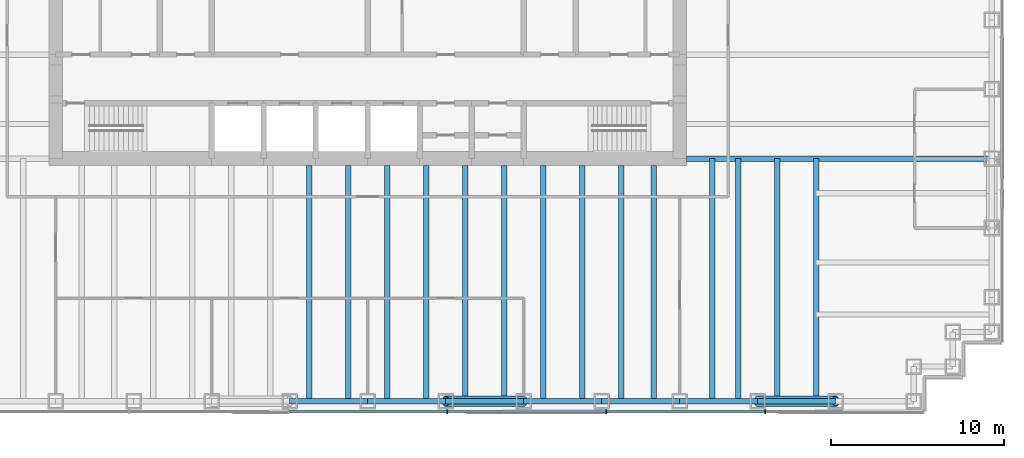
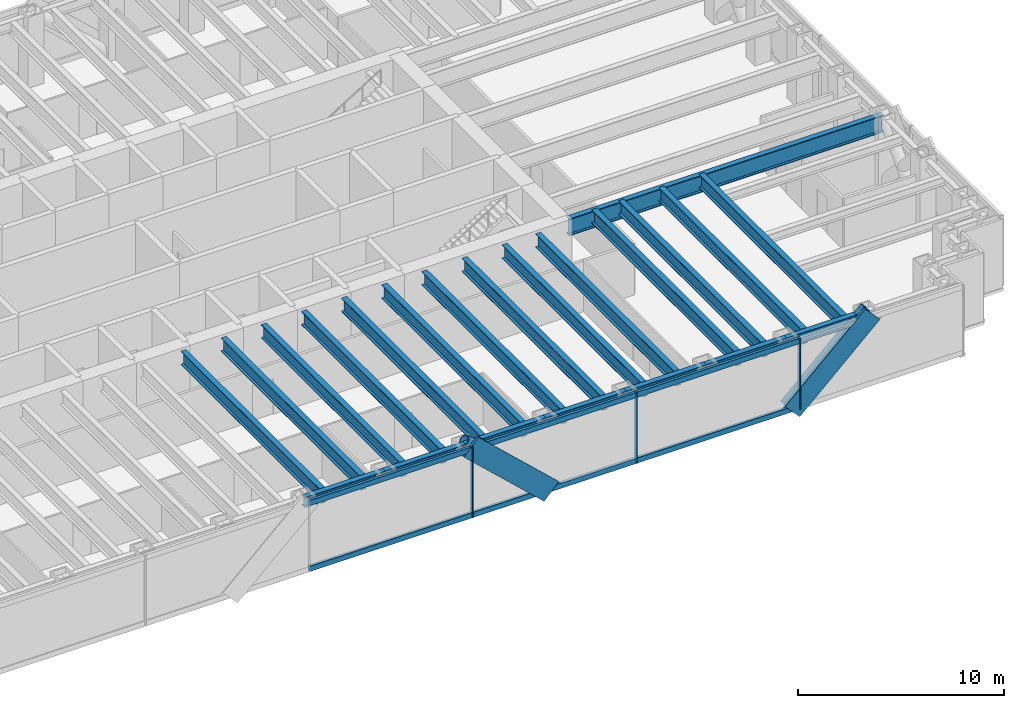
# One storey, part 4 of 19: 22 beams, 13 members, 1 element without a shape of its own.
"""IFC4 building model written with IfcOpenShell, lengths in metres."""

from ifc_helpers import new_model, si_unit, direction, frame, origin, origin_2d, place, context, subcontext, project, spatial, rectangle, hollow_circle, i_section, extrude, material, material_profile, profile_set, type_object, element, aggregate, save


model = new_model("IFC4")

# Units and contexts
model_context = context("Model", 3, precision=1e-05, world=origin(), true_north=direction((0.0, 1.0)))
body_context = subcontext(model_context, "Body", "Model", "MODEL_VIEW")
ifc_project = project(units=[si_unit("LENGTHUNIT", "METRE"), si_unit("AREAUNIT", "SQUARE_METRE"), si_unit("VOLUMEUNIT", "CUBIC_METRE"), si_unit("PLANEANGLEUNIT", "RADIAN"), si_unit("MASSUNIT", "GRAM", prefix="KILO")], contexts=[model_context])

# Site, building, storey
site_placement = place(None, origin())
site = spatial("IfcSite", under=ifc_project, at=site_placement, CompositionType="ELEMENT")
building_placement = place(site_placement, origin())
building = spatial("IfcBuilding", under=site, at=building_placement, Name="Rheinbord Bourse Tower", CompositionType="ELEMENT")
storey_placement = place(building_placement, frame((0.0, 0.0, 206.800048828125)))
storey = spatial("IfcBuildingStorey", under=building, at=storey_placement, Name="L46", CompositionType="ELEMENT", Elevation=206.800048828125)

# Curtain wall, members
ifc_material_1 = material(Name="Dark glass and black aluminium", Category="aluminium")
curtain_wall_type = type_object("IfcCurtainWallType", Name="CW2 DARK GLASS CURTAIN WALL", PredefinedType="USERDEFINED", material=ifc_material_1)
curtain_wall_placement = place(storey_placement, origin())
curtain_wall = element("IfcCurtainWall", 1, at=curtain_wall_placement, inside=storey, type_object=curtain_wall_type, Name="Curtain wall CW2 S L46", ObjectType="UNITISED CURTAIN WALL", PredefinedType="USERDEFINED")
ifc_material_2 = material(Name="Black anodised aluminium", Category="aluminium")
ifc_material_profile_1 = material_profile(ifc_material_2, rectangle(XDim=0.159912109375, YDim=1.2099609375, at=origin_2d()), Name="CW2 DIAGONAL MULLION 1210x160")
ifc_profile_set_1 = profile_set([ifc_material_profile_1], Name="Black anodised aluminium")
member_type_1 = type_object("IfcMemberType", Name="CW2 BLACK DIAGONAL MULLION", PredefinedType="USERDEFINED", material=ifc_profile_set_1)
member_1_placement = place(storey_placement, frame((45.0, 1.39990234375, 0.0), z_axis=(-0.73105922506, 0.0, 0.682314010889), x_axis=(0.0, -1.0, 0.0)))
member_1 = element("IfcMember", 2, at=member_1_placement, type_object=member_type_1, Name="CW2 diagonal mullion a", ObjectType="DIAGONAL MULLION", PredefinedType="USERDEFINED", context=body_context, shape_type="SweptSolid", body=[
    extrude(rectangle(XDim=0.159912109375, YDim=1.2099609375, at=origin_2d()), origin(), (0.0, 0.0, 1.0), 6.155517578125),
])
member_2_placement = place(storey_placement, frame((58.5, 1.39990234375, 0.0), z_axis=(0.73105922506, 0.0, 0.682314010889), x_axis=(0.0, 1.0, 0.0)))
member_2 = element("IfcMember", 3, at=member_2_placement, type_object=member_type_1, Name="CW2 diagonal mullion d", ObjectType="DIAGONAL MULLION", PredefinedType="USERDEFINED", context=body_context, shape_type="SweptSolid", body=[
    extrude(rectangle(XDim=0.159912109375, YDim=1.2099609375, at=origin_2d()), origin(), (0.0, 0.0, 1.0), 6.155517578125),
])
ifc_material_3 = material(Name="Black anodised aluminium", Category="aluminium")
ifc_material_profile_2 = material_profile(ifc_material_3, rectangle(XDim=0.219970703125, YDim=0.070068359375, at=origin_2d()), Name="CW2 MULLION 70x220")
ifc_profile_set_2 = profile_set([ifc_material_profile_2], Name="Black anodised aluminium")
member_type_2 = type_object("IfcMemberType", Name="CW2 BLACK MULLION", PredefinedType="MULLION", material=ifc_profile_set_2)
member_3_placement = place(storey_placement, frame((40.585693359375, 1.39990234375, 0.0), z_axis=(0.0, 0.0, 1.0), x_axis=(0.0, 1.0, 0.0)))
member_3 = element("IfcMember", 4, at=member_3_placement, type_object=member_type_2, Name="CW2 mullion 5", PredefinedType="MULLION", context=body_context, shape_type="SweptSolid", body=[
    extrude(rectangle(XDim=0.219970703125, YDim=0.070068359375, at=origin_2d()), origin(), (0.0, 0.0, 1.0), 4.199951171875),
])
member_4_placement = place(storey_placement, frame((49.757080078125, 1.39990234375, 0.0), z_axis=(0.0, 0.0, 1.0), x_axis=(0.0, 1.0, 0.0)))
member_4 = element("IfcMember", 5, at=member_4_placement, type_object=member_type_2, Name="CW2 mullion 6", PredefinedType="MULLION", context=body_context, shape_type="SweptSolid", body=[
    extrude(rectangle(XDim=0.219970703125, YDim=0.070068359375, at=origin_2d()), origin(), (0.0, 0.0, 1.0), 4.199951171875),
])
member_5_placement = place(storey_placement, frame((58.928466796875, 1.39990234375, 0.0), z_axis=(0.0, 0.0, 1.0), x_axis=(0.0, 1.0, 0.0)))
member_5 = element("IfcMember", 6, at=member_5_placement, type_object=member_type_2, Name="CW2 mullion 7", PredefinedType="MULLION", context=body_context, shape_type="SweptSolid", body=[
    extrude(rectangle(XDim=0.219970703125, YDim=0.070068359375, at=origin_2d()), origin(), (0.0, 0.0, 1.0), 4.199951171875),
])
ifc_material_4 = material(Name="Black anodised aluminium", Category="aluminium")
ifc_material_profile_3 = material_profile(ifc_material_4, rectangle(XDim=0.159912109375, YDim=0.300048828125, at=origin_2d()), Name="CW2 TRANSOM 300x160")
ifc_profile_set_3 = profile_set([ifc_material_profile_3], Name="Black anodised aluminium")
member_type_3 = type_object("IfcMemberType", Name="CW2 BLACK TRANSOM", PredefinedType="USERDEFINED", material=ifc_profile_set_3)
member_6_placement = place(storey_placement, frame((31.44921875, 1.39990234375, 0.14990234375), z_axis=(1.0, 0.0, 0.0), x_axis=(0.0, 1.0, 0.0)))
member_6 = element("IfcMember", 7, at=member_6_placement, type_object=member_type_3, Name="CW2 transom 4.1", ObjectType="TRANSOM", PredefinedType="USERDEFINED", context=body_context, shape_type="SweptSolid", body=[
    extrude(rectangle(XDim=0.159912109375, YDim=0.300048828125, at=origin_2d()), origin(), (0.0, 0.0, 1.0), 9.1015625),
])
member_7_placement = place(storey_placement, frame((31.44921875, 1.39990234375, 4.050048828125), z_axis=(1.0, 0.0, 0.0), x_axis=(0.0, 1.0, 0.0)))
member_7 = element("IfcMember", 8, at=member_7_placement, type_object=member_type_3, Name="CW2 transom 4.2", ObjectType="TRANSOM", PredefinedType="USERDEFINED", context=body_context, shape_type="SweptSolid", body=[
    extrude(rectangle(XDim=0.159912109375, YDim=0.300048828125, at=origin_2d()), origin(), (0.0, 0.0, 1.0), 9.1015625),
])
member_8_placement = place(storey_placement, frame((40.62060546875, 1.39990234375, 0.14990234375), z_axis=(1.0, 0.0, 0.0), x_axis=(0.0, 1.0, 0.0)))
member_8 = element("IfcMember", 9, at=member_8_placement, type_object=member_type_3, Name="CW2 transom 5.1", ObjectType="TRANSOM", PredefinedType="USERDEFINED", context=body_context, shape_type="SweptSolid", body=[
    extrude(rectangle(XDim=0.159912109375, YDim=0.300048828125, at=origin_2d()), origin(), (0.0, 0.0, 1.0), 9.1015625),
])
member_9_placement = place(storey_placement, frame((40.62060546875, 1.39990234375, 4.050048828125), z_axis=(1.0, 0.0, 0.0), x_axis=(0.0, 1.0, 0.0)))
member_9 = element("IfcMember", 10, at=member_9_placement, type_object=member_type_3, Name="CW2 transom 5.2", ObjectType="TRANSOM", PredefinedType="USERDEFINED", context=body_context, shape_type="SweptSolid", body=[
    extrude(rectangle(XDim=0.159912109375, YDim=0.300048828125, at=origin_2d()), origin(), (0.0, 0.0, 1.0), 9.1015625),
])
member_10_placement = place(storey_placement, frame((49.792236328125, 1.39990234375, 0.14990234375), z_axis=(1.0, 0.0, 0.0), x_axis=(0.0, 1.0, 0.0)))
member_10 = element("IfcMember", 11, at=member_10_placement, type_object=member_type_3, Name="CW2 transom 6.1", ObjectType="TRANSOM", PredefinedType="USERDEFINED", context=body_context, shape_type="SweptSolid", body=[
    extrude(rectangle(XDim=0.159912109375, YDim=0.300048828125, at=origin_2d()), origin(), (0.0, 0.0, 1.0), 9.101318359375),
])
member_11_placement = place(storey_placement, frame((49.792236328125, 1.39990234375, 4.050048828125), z_axis=(1.0, 0.0, 0.0), x_axis=(0.0, 1.0, 0.0)))
member_11 = element("IfcMember", 12, at=member_11_placement, type_object=member_type_3, Name="CW2 transom 6.2", ObjectType="TRANSOM", PredefinedType="USERDEFINED", context=body_context, shape_type="SweptSolid", body=[
    extrude(rectangle(XDim=0.159912109375, YDim=0.300048828125, at=origin_2d()), origin(), (0.0, 0.0, 1.0), 9.101318359375),
])
aggregate(curtain_wall, [member_3, member_4, member_5, member_6, member_7, member_8, member_9, member_10, member_11, member_1, member_2])

# Beams
ifc_material_5 = material(Name="Steel S460", Category="steel")
ifc_material_profile_4 = material_profile(ifc_material_5, i_section(OverallWidth=0.300048828125, OverallDepth=0.800048828125, WebThickness=0.017578125, FlangeThickness=0.032958984375, at=origin_2d()), Name="HEB 800")
ifc_profile_set_4 = profile_set([ifc_material_profile_4], Name="Steel S460")
beam_type_1 = type_object("IfcBeamType", Name="FLOOR BEAM HEB 800", PredefinedType="BEAM", material=ifc_profile_set_4)
for number, where, z_axis, x_axis, name in (
    (13, (32.625, 2.0, 3.639892578125), (0.0, 1.0, 0.0), (-1.0, 0.0, 0.0), "Floor beam S-31.5a L47"),
    (14, (34.875, 2.0, 3.639892578125), (0.0, 1.0, 0.0), (-1.0, 0.0, 0.0), "Floor beam S-31.5b L47"),
    (15, (37.125, 2.0, 3.639892578125), (0.0, 1.0, 0.0), (-1.0, 0.0, 0.0), "Floor beam S-36a L47"),
    (16, (39.375, 2.0, 3.639892578125), (0.0, 1.0, 0.0), (-1.0, 0.0, 0.0), "Floor beam S-36b L47"),
    (17, (41.625, 2.0, 3.639892578125), (0.0, 1.0, 0.0), (-1.0, 0.0, 0.0), "Floor beam S-40.5a L47"),
    (18, (43.875, 2.0, 3.639892578125), (0.0, 1.0, 0.0), (-1.0, 0.0, 0.0), "Floor beam S-40.5b L47"),
    (19, (46.125, 2.0, 3.639892578125), (0.0, 1.0, 0.0), (-1.0, 0.0, 0.0), "Floor beam S-45a L47"),
    (20, (48.375, 2.0, 3.639892578125), (0.0, 1.0, 0.0), (-1.0, 0.0, 0.0), "Floor beam S-45b L47"),
    (21, (50.625, 2.0, 3.639892578125), (0.0, 1.0, 0.0), (-1.0, 0.0, 0.0), "Floor beam S-49.5a L47"),
    (22, (52.5, 2.0, 3.639892578125), (0.0, 1.0, 0.0), (-1.0, 0.0, 0.0), "Floor beam S-49.5b L47"),
):
    element("IfcBeam", number, at=place(storey_placement, frame(where, z_axis=z_axis, x_axis=x_axis)), inside=storey, type_object=beam_type_1, Name=name, PredefinedType="BEAM", context=body_context, shape_type="SweptSolid", body=[
        extrude(i_section(OverallWidth=0.300048828125, OverallDepth=0.800048828125, WebThickness=0.017578125, FlangeThickness=0.032958984375, at=origin_2d()), origin(), (0.0, 0.0, 1.0), 13.60009765625),
    ])
for number, where, z_axis, x_axis, name in (
    (23, (55.875, 2.0, 3.639892578125), (0.0, 1.0, 0.0), (-1.0, 0.0, 0.0), "Floor beam S-54a L47"),
    (24, (57.375, 2.0, 3.639892578125), (0.0, 1.0, 0.0), (-1.0, 0.0, 0.0), "Floor beam S-54b L47"),
    (25, (59.625, 2.0, 3.639892578125), (0.0, 1.0, 0.0), (-1.0, 0.0, 0.0), "Floor beam S-58.5a L47"),
    (26, (61.875, 2.0, 3.639892578125), (0.0, 1.0, 0.0), (-1.0, 0.0, 0.0), "Floor beam S-58.5b L47"),
):
    element("IfcBeam", number, at=place(storey_placement, frame(where, z_axis=z_axis, x_axis=x_axis)), inside=storey, type_object=beam_type_1, Name=name, PredefinedType="BEAM", context=body_context, shape_type="SweptSolid", body=[
        extrude(i_section(OverallWidth=0.300048828125, OverallDepth=0.800048828125, WebThickness=0.017578125, FlangeThickness=0.032958984375, at=origin_2d()), origin(), (0.0, 0.0, 1.0), 14.0),
    ])
ifc_material_6 = material(Name="Steel S460", Category="steel")
ifc_material_profile_5 = material_profile(ifc_material_6, i_section(OverallWidth=0.302001953125, OverallDepth=1.008056640625, WebThickness=0.02099609375, FlangeThickness=0.0400390625, at=origin_2d()), Name="HEM 1000")
ifc_profile_set_5 = profile_set([ifc_material_profile_5], Name="Steel S460")
beam_type_2 = type_object("IfcBeamType", Name="GIRDER HEM 1000", PredefinedType="BEAM", material=ifc_profile_set_5)
beam_placement = place(storey_placement, frame((54.39990234375, 16.0, 3.535888671875), z_axis=(1.0, 0.0, 0.0), x_axis=(0.0, 1.0, 0.0)))
element("IfcBeam", 27, at=beam_placement, inside=storey, type_object=beam_type_2, Name="Girder east 16 L47", PredefinedType="BEAM", context=body_context, shape_type="SweptSolid", body=[
    extrude(i_section(OverallWidth=0.302001953125, OverallDepth=1.008056640625, WebThickness=0.02099609375, FlangeThickness=0.0400390625, at=origin_2d()), origin(), (0.0, 0.0, 1.0), 17.60009765625),
])

# Members
ifc_material_7 = material(Name="Steel S460", Category="steel")
ifc_material_profile_6 = material_profile(ifc_material_7, hollow_circle(Radius=0.304931640625, WallThickness=0.0400390625, at=origin_2d()), Name="CHS 610x40")
ifc_profile_set_6 = profile_set([ifc_material_profile_6], Name="Steel S460")
member_type_4 = type_object("IfcMemberType", Name="MEGABRACE CHS 610x40", PredefinedType="BRACE", material=ifc_profile_set_6)
for number, where, z_axis, x_axis, name in (
    (28, (45.0, 2.0, 0.0), (-0.73105922506, 0.0, 0.682314010889), (0.0, -1.0, 0.0), "Megabrace S face line a L46"),
    (29, (58.5, 2.0, 0.0), (0.73105922506, 0.0, 0.682314010889), (0.0, 1.0, 0.0), "Megabrace S face line d L46"),
):
    element("IfcMember", number, at=place(storey_placement, frame(where, z_axis=z_axis, x_axis=x_axis)), inside=storey, type_object=member_type_4, Name=name, PredefinedType="BRACE", context=body_context, shape_type="SweptSolid", body=[
        extrude(hollow_circle(Radius=0.304931640625, WallThickness=0.0400390625, at=origin_2d()), origin(), (0.0, 0.0, 1.0), 6.155517578125),
    ])

# Beams
ifc_material_8 = material(Name="Steel S460", Category="steel")
ifc_material_profile_7 = material_profile(ifc_material_8, i_section(OverallWidth=0.300048828125, OverallDepth=0.60009765625, WebThickness=0.015380859375, FlangeThickness=0.030029296875, at=origin_2d()), Name="HEB 600")
ifc_profile_set_7 = profile_set([ifc_material_profile_7], Name="Steel S460")
beam_type_3 = type_object("IfcBeamType", Name="SPANDREL HEB 600", PredefinedType="SPANDREL", material=ifc_profile_set_7)
for number, where, z_axis, x_axis, name in (
    (30, (31.5, 2.0, 3.739990234375), (1.0, 0.0, 0.0), (0.0, 1.0, 0.0), "Spandrel S-31.5-S-36 under L47"),
    (31, (36.0, 2.0, 3.739990234375), (1.0, 0.0, 0.0), (0.0, 1.0, 0.0), "Spandrel S-36-S-40.5 under L47"),
    (32, (40.5, 2.0, 3.739990234375), (1.0, 0.0, 0.0), (0.0, 1.0, 0.0), "Spandrel S-40.5-S-45 under L47"),
    (33, (45.0, 2.0, 3.739990234375), (1.0, 0.0, 0.0), (0.0, 1.0, 0.0), "Spandrel S-45-S-49.5 under L47"),
    (34, (49.5, 2.0, 3.739990234375), (1.0, 0.0, 0.0), (0.0, 1.0, 0.0), "Spandrel S-49.5-S-54 under L47"),
    (35, (54.0, 2.0, 3.739990234375), (1.0, 0.0, 0.0), (0.0, 1.0, 0.0), "Spandrel S-54-S-58.5 under L47"),
    (36, (58.5, 2.0, 3.739990234375), (1.0, 0.0, 0.0), (0.0, 1.0, 0.0), "Spandrel S-58.5-S-63 under L47"),
):
    element("IfcBeam", number, at=place(storey_placement, frame(where, z_axis=z_axis, x_axis=x_axis)), inside=storey, type_object=beam_type_3, Name=name, PredefinedType="SPANDREL", context=body_context, shape_type="SweptSolid", body=[
        extrude(i_section(OverallWidth=0.300048828125, OverallDepth=0.60009765625, WebThickness=0.015380859375, FlangeThickness=0.030029296875, at=origin_2d()), origin(), (0.0, 0.0, 1.0), 4.5),
    ])

save(model, "model.ifc")
